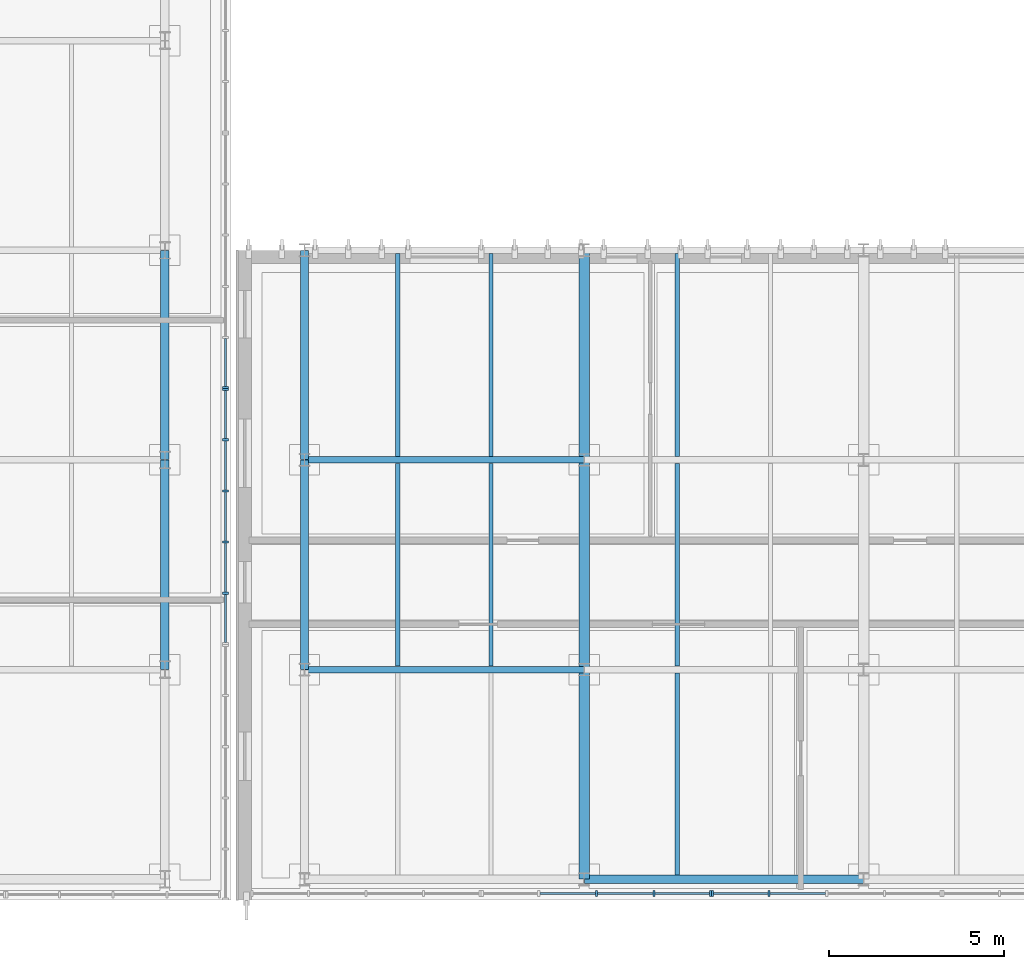
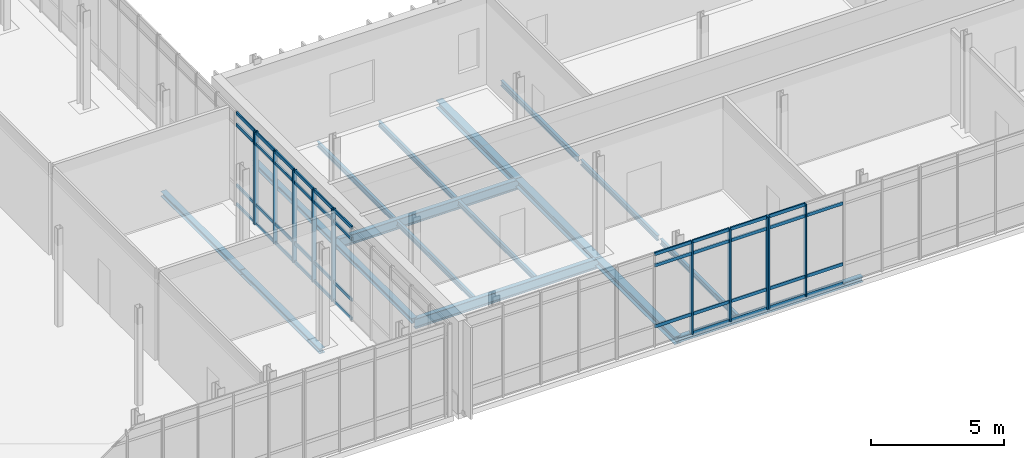
# One storey, part 31 of 100: 53 members, 17 beams, 4 elements without a shape of their own.
"""IFC4 building model written with IfcOpenShell, lengths in metres."""

from ifc_helpers import new_model, si_unit, direction, frame, origin, origin_2d, place, context, subcontext, project, spatial, rectangle, i_section, extrude, material, material_profile, profile_set, type_object, element, aggregate, save


model = new_model("IFC4")

# Units and contexts
model_context = context("Model", 3, precision=1e-05, world=origin(), true_north=direction((0.0, 1.0)))
body_context = subcontext(model_context, "Body", "Model", "MODEL_VIEW")
ifc_project = project(units=[si_unit("LENGTHUNIT", "METRE"), si_unit("AREAUNIT", "SQUARE_METRE"), si_unit("VOLUMEUNIT", "CUBIC_METRE"), si_unit("PLANEANGLEUNIT", "RADIAN"), si_unit("MASSUNIT", "GRAM", prefix="KILO")], contexts=[model_context])

# Site, building, storey
site_placement = place(None, origin())
site = spatial("IfcSite", under=ifc_project, at=site_placement, CompositionType="ELEMENT")
building_placement = place(site_placement, origin())
building = spatial("IfcBuilding", under=site, at=building_placement, Name="Cymarion Research Institute", CompositionType="ELEMENT")
storey_placement = place(building_placement, frame((0.0, 0.0, 9.300048828125)))
storey = spatial("IfcBuildingStorey", under=building, at=storey_placement, Name="L02", CompositionType="ELEMENT", Elevation=9.300048828125)

# Curtain wall, members
ifc_material_1 = material(Name="Anodised aluminium unitised curtain wall with Low-E glazing", Category="aluminium")
curtain_wall_type_1 = type_object("IfcCurtainWallType", Name="UNITISED CURTAIN WALL CW01 6590X4250", PredefinedType="NOTDEFINED", material=ifc_material_1)
curtain_wall_1_placement = place(storey_placement, origin())
curtain_wall_1 = element("IfcCurtainWall", 1, at=curtain_wall_1_placement, inside=storey, type_object=curtain_wall_type_1, Name="L02 V1 unitised curtain wall CW01 #61", PredefinedType="NOTDEFINED")
ifc_material_2 = material(Name="Anodised aluminium framing", Category="aluminium")
ifc_material_profile_1 = material_profile(ifc_material_2, rectangle(XDim=0.06005859375, YDim=0.179931640625, at=origin_2d()), Name="ALU MULLION 60x180")
ifc_profile_set_1 = profile_set([ifc_material_profile_1], Name="Anodised aluminium framing")
member_type_1 = type_object("IfcMemberType", Name="CURTAIN WALL MULLION ML01 60X180", PredefinedType="MULLION", material=ifc_profile_set_1)
member_1_placement = place(storey_placement, frame((114.95166015625, 5.090087890625, 0.0), z_axis=(0.0, 0.0, 1.0), x_axis=(1.0, 0.0, 0.0)))
member_1 = element("IfcMember", 2, at=member_1_placement, type_object=member_type_1, Name="CW01 mullion 3", PredefinedType="MULLION", context=body_context, shape_type="SweptSolid", body=[
    extrude(rectangle(XDim=0.06005859375, YDim=0.179931640625, at=origin_2d()), origin(), (0.0, 0.0, 1.0), 4.25),
])
member_2_placement = place(storey_placement, frame((116.599853515625, 5.090087890625, 0.0), z_axis=(0.0, 0.0, 1.0), x_axis=(1.0, 0.0, 0.0)))
member_2 = element("IfcMember", 3, at=member_2_placement, type_object=member_type_1, Name="CW01 mullion 4", PredefinedType="MULLION", context=body_context, shape_type="SweptSolid", body=[
    extrude(rectangle(XDim=0.06005859375, YDim=0.179931640625, at=origin_2d()), origin(), (0.0, 0.0, 1.0), 4.25),
])
member_3_placement = place(storey_placement, frame((118.21826171875, 5.090087890625, 0.0), z_axis=(0.0, 0.0, 1.0), x_axis=(1.0, 0.0, 0.0)))
member_3 = element("IfcMember", 4, at=member_3_placement, type_object=member_type_1, Name="CW01 mullion 5", PredefinedType="MULLION", context=body_context, shape_type="SweptSolid", body=[
    extrude(rectangle(XDim=0.06005859375, YDim=0.179931640625, at=origin_2d()), origin(), (0.0, 0.0, 1.0), 4.25),
])

curtain_wall_2_placement = place(storey_placement, origin())
curtain_wall_2 = element("IfcCurtainWall", 5, at=curtain_wall_2_placement, inside=storey, type_object=curtain_wall_type_1, Name="L02 V1 unitised curtain wall CW01 #62", PredefinedType="NOTDEFINED")
member_4_placement = place(storey_placement, frame((118.2783203125, 5.090087890625, 0.0), z_axis=(0.0, 0.0, 1.0), x_axis=(1.0, 0.0, 0.0)))
member_4 = element("IfcMember", 6, at=member_4_placement, type_object=member_type_1, Name="CW01 mullion 1", PredefinedType="MULLION", context=body_context, shape_type="SweptSolid", body=[
    extrude(rectangle(XDim=0.06005859375, YDim=0.179931640625, at=origin_2d()), origin(), (0.0, 0.0, 1.0), 4.25),
])
member_5_placement = place(storey_placement, frame((119.896484375, 5.090087890625, 0.0), z_axis=(0.0, 0.0, 1.0), x_axis=(1.0, 0.0, 0.0)))
member_5 = element("IfcMember", 7, at=member_5_placement, type_object=member_type_1, Name="CW01 mullion 2", PredefinedType="MULLION", context=body_context, shape_type="SweptSolid", body=[
    extrude(rectangle(XDim=0.06005859375, YDim=0.179931640625, at=origin_2d()), origin(), (0.0, 0.0, 1.0), 4.25),
])

curtain_wall_type_2 = type_object("IfcCurtainWallType", Name="UNITISED CURTAIN WALL CW08 7320X4250", PredefinedType="NOTDEFINED", material=ifc_material_1)
curtain_wall_3_placement = place(storey_placement, origin())
curtain_wall_3 = element("IfcCurtainWall", 8, at=curtain_wall_3_placement, inside=storey, type_object=curtain_wall_type_2, Name="L02 V2 unitised curtain wall CW08 #79", PredefinedType="NOTDEFINED")
member_6_placement = place(storey_placement, frame((104.340087890625, 13.68408203125, 0.0), z_axis=(0.0, 0.0, 1.0), x_axis=(0.0, 1.0, 0.0)))
member_6 = element("IfcMember", 9, at=member_6_placement, type_object=member_type_1, Name="CW08 mullion 2", PredefinedType="MULLION", context=body_context, shape_type="SweptSolid", body=[
    extrude(rectangle(XDim=0.06005859375, YDim=0.179931640625, at=origin_2d()), origin(), (0.0, 0.0, 1.0), 4.25),
])
member_7_placement = place(storey_placement, frame((104.340087890625, 15.14794921875, 0.0), z_axis=(0.0, 0.0, 1.0), x_axis=(0.0, 1.0, 0.0)))
member_7 = element("IfcMember", 10, at=member_7_placement, type_object=member_type_1, Name="CW08 mullion 3", PredefinedType="MULLION", context=body_context, shape_type="SweptSolid", body=[
    extrude(rectangle(XDim=0.06005859375, YDim=0.179931640625, at=origin_2d()), origin(), (0.0, 0.0, 1.0), 4.25),
])
member_8_placement = place(storey_placement, frame((104.340087890625, 16.612060546875, 0.0), z_axis=(0.0, 0.0, 1.0), x_axis=(0.0, 1.0, 0.0)))
member_8 = element("IfcMember", 11, at=member_8_placement, type_object=member_type_1, Name="CW08 mullion 4", PredefinedType="MULLION", context=body_context, shape_type="SweptSolid", body=[
    extrude(rectangle(XDim=0.06005859375, YDim=0.179931640625, at=origin_2d()), origin(), (0.0, 0.0, 1.0), 4.25),
])
member_9_placement = place(storey_placement, frame((104.340087890625, 18.075927734375, 0.0), z_axis=(0.0, 0.0, 1.0), x_axis=(0.0, 1.0, 0.0)))
member_9 = element("IfcMember", 12, at=member_9_placement, type_object=member_type_1, Name="CW08 mullion 5", PredefinedType="MULLION", context=body_context, shape_type="SweptSolid", body=[
    extrude(rectangle(XDim=0.06005859375, YDim=0.179931640625, at=origin_2d()), origin(), (0.0, 0.0, 1.0), 4.25),
])
member_10_placement = place(storey_placement, frame((104.340087890625, 19.510009765625, 0.0), z_axis=(0.0, 0.0, 1.0), x_axis=(0.0, 1.0, 0.0)))
member_10 = element("IfcMember", 13, at=member_10_placement, type_object=member_type_1, Name="CW08 mullion 6", PredefinedType="MULLION", context=body_context, shape_type="SweptSolid", body=[
    extrude(rectangle(XDim=0.06005859375, YDim=0.179931640625, at=origin_2d()), origin(), (0.0, 0.0, 1.0), 4.25),
])

# Curtain wall, member
curtain_wall_4_placement = place(storey_placement, origin())
curtain_wall_4 = element("IfcCurtainWall", 14, at=curtain_wall_4_placement, inside=storey, type_object=curtain_wall_type_2, Name="L02 V2 unitised curtain wall CW08 #80", PredefinedType="NOTDEFINED")
member_11_placement = place(storey_placement, frame((104.340087890625, 19.570068359375, 0.0), z_axis=(0.0, 0.0, 1.0), x_axis=(0.0, 1.0, 0.0)))
member_11 = element("IfcMember", 15, at=member_11_placement, type_object=member_type_1, Name="CW08 mullion 1", PredefinedType="MULLION", context=body_context, shape_type="SweptSolid", body=[
    extrude(rectangle(XDim=0.06005859375, YDim=0.179931640625, at=origin_2d()), origin(), (0.0, 0.0, 1.0), 4.25),
])

# Member
ifc_material_profile_2 = material_profile(ifc_material_2, rectangle(XDim=0.06005859375, YDim=0.14990234375, at=origin_2d()), Name="ALU TRANSOM 60x150")
ifc_profile_set_2 = profile_set([ifc_material_profile_2], Name="Anodised aluminium framing")
member_type_2 = type_object("IfcMemberType", Name="CURTAIN WALL TRANSOM TR01 60X150", PredefinedType="USERDEFINED", material=ifc_profile_set_2)
member_12_placement = place(storey_placement, frame((113.33349609375, 5.090087890625, 0.89990234375), z_axis=(1.0, 0.0, 0.0), x_axis=(0.0, 1.0, 0.0)))
member_12 = element("IfcMember", 16, at=member_12_placement, type_object=member_type_2, Name="CW01 transom 2.2", ObjectType="TRANSOM", PredefinedType="USERDEFINED", context=body_context, shape_type="SweptSolid", body=[
    extrude(rectangle(XDim=0.06005859375, YDim=0.14990234375, at=origin_2d()), origin(), (0.0, 0.0, 1.0), 1.588134765625),
])

member_13_placement = place(storey_placement, frame((113.33349609375, 5.090087890625, 3.699951171875), z_axis=(1.0, 0.0, 0.0), x_axis=(0.0, 1.0, 0.0)))
member_13 = element("IfcMember", 17, at=member_13_placement, type_object=member_type_2, Name="CW01 transom 2.3", ObjectType="TRANSOM", PredefinedType="USERDEFINED", context=body_context, shape_type="SweptSolid", body=[
    extrude(rectangle(XDim=0.06005859375, YDim=0.14990234375, at=origin_2d()), origin(), (0.0, 0.0, 1.0), 1.588134765625),
])

member_14_placement = place(storey_placement, frame((113.33349609375, 5.090087890625, 4.219970703125), z_axis=(1.0, 0.0, 0.0), x_axis=(0.0, 1.0, 0.0)))
member_14 = element("IfcMember", 18, at=member_14_placement, type_object=member_type_2, Name="CW01 transom 2.4", ObjectType="TRANSOM", PredefinedType="USERDEFINED", context=body_context, shape_type="SweptSolid", body=[
    extrude(rectangle(XDim=0.06005859375, YDim=0.14990234375, at=origin_2d()), origin(), (0.0, 0.0, 1.0), 1.588134765625),
])

member_15_placement = place(storey_placement, frame((114.981689453125, 5.090087890625, 0.030029296875), z_axis=(1.0, 0.0, 0.0), x_axis=(0.0, 1.0, 0.0)))
member_15 = element("IfcMember", 19, at=member_15_placement, type_object=member_type_2, Name="CW01 transom 3.1", ObjectType="TRANSOM", PredefinedType="USERDEFINED", context=body_context, shape_type="SweptSolid", body=[
    extrude(rectangle(XDim=0.06005859375, YDim=0.14990234375, at=origin_2d()), origin(), (0.0, 0.0, 1.0), 1.588134765625),
])

member_16_placement = place(storey_placement, frame((114.981689453125, 5.090087890625, 0.89990234375), z_axis=(1.0, 0.0, 0.0), x_axis=(0.0, 1.0, 0.0)))
member_16 = element("IfcMember", 20, at=member_16_placement, type_object=member_type_2, Name="CW01 transom 3.2", ObjectType="TRANSOM", PredefinedType="USERDEFINED", context=body_context, shape_type="SweptSolid", body=[
    extrude(rectangle(XDim=0.06005859375, YDim=0.14990234375, at=origin_2d()), origin(), (0.0, 0.0, 1.0), 1.588134765625),
])

member_17_placement = place(storey_placement, frame((114.981689453125, 5.090087890625, 3.699951171875), z_axis=(1.0, 0.0, 0.0), x_axis=(0.0, 1.0, 0.0)))
member_17 = element("IfcMember", 21, at=member_17_placement, type_object=member_type_2, Name="CW01 transom 3.3", ObjectType="TRANSOM", PredefinedType="USERDEFINED", context=body_context, shape_type="SweptSolid", body=[
    extrude(rectangle(XDim=0.06005859375, YDim=0.14990234375, at=origin_2d()), origin(), (0.0, 0.0, 1.0), 1.588134765625),
])

member_18_placement = place(storey_placement, frame((114.981689453125, 5.090087890625, 4.219970703125), z_axis=(1.0, 0.0, 0.0), x_axis=(0.0, 1.0, 0.0)))
member_18 = element("IfcMember", 22, at=member_18_placement, type_object=member_type_2, Name="CW01 transom 3.4", ObjectType="TRANSOM", PredefinedType="USERDEFINED", context=body_context, shape_type="SweptSolid", body=[
    extrude(rectangle(XDim=0.06005859375, YDim=0.14990234375, at=origin_2d()), origin(), (0.0, 0.0, 1.0), 1.588134765625),
])

member_19_placement = place(storey_placement, frame((116.6298828125, 5.090087890625, 0.030029296875), z_axis=(1.0, 0.0, 0.0), x_axis=(0.0, 1.0, 0.0)))
member_19 = element("IfcMember", 23, at=member_19_placement, type_object=member_type_2, Name="CW01 transom 4.1", ObjectType="TRANSOM", PredefinedType="USERDEFINED", context=body_context, shape_type="SweptSolid", body=[
    extrude(rectangle(XDim=0.06005859375, YDim=0.14990234375, at=origin_2d()), origin(), (0.0, 0.0, 1.0), 1.558349609375),
])

member_20_placement = place(storey_placement, frame((116.6298828125, 5.090087890625, 0.89990234375), z_axis=(1.0, 0.0, 0.0), x_axis=(0.0, 1.0, 0.0)))
member_20 = element("IfcMember", 24, at=member_20_placement, type_object=member_type_2, Name="CW01 transom 4.2", ObjectType="TRANSOM", PredefinedType="USERDEFINED", context=body_context, shape_type="SweptSolid", body=[
    extrude(rectangle(XDim=0.06005859375, YDim=0.14990234375, at=origin_2d()), origin(), (0.0, 0.0, 1.0), 1.558349609375),
])

member_21_placement = place(storey_placement, frame((116.6298828125, 5.090087890625, 3.699951171875), z_axis=(1.0, 0.0, 0.0), x_axis=(0.0, 1.0, 0.0)))
member_21 = element("IfcMember", 25, at=member_21_placement, type_object=member_type_2, Name="CW01 transom 4.3", ObjectType="TRANSOM", PredefinedType="USERDEFINED", context=body_context, shape_type="SweptSolid", body=[
    extrude(rectangle(XDim=0.06005859375, YDim=0.14990234375, at=origin_2d()), origin(), (0.0, 0.0, 1.0), 1.558349609375),
])

member_22_placement = place(storey_placement, frame((116.6298828125, 5.090087890625, 4.219970703125), z_axis=(1.0, 0.0, 0.0), x_axis=(0.0, 1.0, 0.0)))
member_22 = element("IfcMember", 26, at=member_22_placement, type_object=member_type_2, Name="CW01 transom 4.4", ObjectType="TRANSOM", PredefinedType="USERDEFINED", context=body_context, shape_type="SweptSolid", body=[
    extrude(rectangle(XDim=0.06005859375, YDim=0.14990234375, at=origin_2d()), origin(), (0.0, 0.0, 1.0), 1.558349609375),
])

aggregate(curtain_wall_1, [member_1, member_2, member_3, member_12, member_13, member_14, member_15, member_16, member_17, member_18, member_19, member_20, member_21, member_22])

member_23_placement = place(storey_placement, frame((118.30810546875, 5.090087890625, 0.030029296875), z_axis=(1.0, 0.0, 0.0), x_axis=(0.0, 1.0, 0.0)))
member_23 = element("IfcMember", 27, at=member_23_placement, type_object=member_type_2, Name="CW01 transom 1.1", ObjectType="TRANSOM", PredefinedType="USERDEFINED", context=body_context, shape_type="SweptSolid", body=[
    extrude(rectangle(XDim=0.06005859375, YDim=0.14990234375, at=origin_2d()), origin(), (0.0, 0.0, 1.0), 1.558349609375),
])

member_24_placement = place(storey_placement, frame((118.30810546875, 5.090087890625, 0.89990234375), z_axis=(1.0, 0.0, 0.0), x_axis=(0.0, 1.0, 0.0)))
member_24 = element("IfcMember", 28, at=member_24_placement, type_object=member_type_2, Name="CW01 transom 1.2", ObjectType="TRANSOM", PredefinedType="USERDEFINED", context=body_context, shape_type="SweptSolid", body=[
    extrude(rectangle(XDim=0.06005859375, YDim=0.14990234375, at=origin_2d()), origin(), (0.0, 0.0, 1.0), 1.558349609375),
])

member_25_placement = place(storey_placement, frame((118.30810546875, 5.090087890625, 3.699951171875), z_axis=(1.0, 0.0, 0.0), x_axis=(0.0, 1.0, 0.0)))
member_25 = element("IfcMember", 29, at=member_25_placement, type_object=member_type_2, Name="CW01 transom 1.3", ObjectType="TRANSOM", PredefinedType="USERDEFINED", context=body_context, shape_type="SweptSolid", body=[
    extrude(rectangle(XDim=0.06005859375, YDim=0.14990234375, at=origin_2d()), origin(), (0.0, 0.0, 1.0), 1.558349609375),
])

member_26_placement = place(storey_placement, frame((118.30810546875, 5.090087890625, 4.219970703125), z_axis=(1.0, 0.0, 0.0), x_axis=(0.0, 1.0, 0.0)))
member_26 = element("IfcMember", 30, at=member_26_placement, type_object=member_type_2, Name="CW01 transom 1.4", ObjectType="TRANSOM", PredefinedType="USERDEFINED", context=body_context, shape_type="SweptSolid", body=[
    extrude(rectangle(XDim=0.06005859375, YDim=0.14990234375, at=origin_2d()), origin(), (0.0, 0.0, 1.0), 1.558349609375),
])

member_27_placement = place(storey_placement, frame((119.926513671875, 5.090087890625, 0.030029296875), z_axis=(1.0, 0.0, 0.0), x_axis=(0.0, 1.0, 0.0)))
member_27 = element("IfcMember", 31, at=member_27_placement, type_object=member_type_2, Name="CW01 transom 2.1", ObjectType="TRANSOM", PredefinedType="USERDEFINED", context=body_context, shape_type="SweptSolid", body=[
    extrude(rectangle(XDim=0.06005859375, YDim=0.14990234375, at=origin_2d()), origin(), (0.0, 0.0, 1.0), 1.588134765625),
])

member_28_placement = place(storey_placement, frame((119.926513671875, 5.090087890625, 0.89990234375), z_axis=(1.0, 0.0, 0.0), x_axis=(0.0, 1.0, 0.0)))
member_28 = element("IfcMember", 32, at=member_28_placement, type_object=member_type_2, Name="CW01 transom 2.2", ObjectType="TRANSOM", PredefinedType="USERDEFINED", context=body_context, shape_type="SweptSolid", body=[
    extrude(rectangle(XDim=0.06005859375, YDim=0.14990234375, at=origin_2d()), origin(), (0.0, 0.0, 1.0), 1.588134765625),
])

member_29_placement = place(storey_placement, frame((119.926513671875, 5.090087890625, 3.699951171875), z_axis=(1.0, 0.0, 0.0), x_axis=(0.0, 1.0, 0.0)))
member_29 = element("IfcMember", 33, at=member_29_placement, type_object=member_type_2, Name="CW01 transom 2.3", ObjectType="TRANSOM", PredefinedType="USERDEFINED", context=body_context, shape_type="SweptSolid", body=[
    extrude(rectangle(XDim=0.06005859375, YDim=0.14990234375, at=origin_2d()), origin(), (0.0, 0.0, 1.0), 1.588134765625),
])

aggregate(curtain_wall_2, [member_4, member_5, member_23, member_24, member_25, member_26, member_27, member_28, member_29])

member_30_placement = place(storey_placement, frame((104.340087890625, 12.280029296875, 0.030029296875), z_axis=(0.0, 1.0, 0.0), x_axis=(-1.0, 0.0, 0.0)))
member_30 = element("IfcMember", 34, at=member_30_placement, type_object=member_type_2, Name="CW08 transom 1.1", ObjectType="TRANSOM", PredefinedType="USERDEFINED", context=body_context, shape_type="SweptSolid", body=[
    extrude(rectangle(XDim=0.06005859375, YDim=0.14990234375, at=origin_2d()), origin(), (0.0, 0.0, 1.0), 1.3740234375),
])

member_31_placement = place(storey_placement, frame((104.340087890625, 12.280029296875, 0.89990234375), z_axis=(0.0, 1.0, 0.0), x_axis=(-1.0, 0.0, 0.0)))
member_31 = element("IfcMember", 35, at=member_31_placement, type_object=member_type_2, Name="CW08 transom 1.2", ObjectType="TRANSOM", PredefinedType="USERDEFINED", context=body_context, shape_type="SweptSolid", body=[
    extrude(rectangle(XDim=0.06005859375, YDim=0.14990234375, at=origin_2d()), origin(), (0.0, 0.0, 1.0), 1.3740234375),
])

member_32_placement = place(storey_placement, frame((104.340087890625, 12.280029296875, 3.699951171875), z_axis=(0.0, 1.0, 0.0), x_axis=(-1.0, 0.0, 0.0)))
member_32 = element("IfcMember", 36, at=member_32_placement, type_object=member_type_2, Name="CW08 transom 1.3", ObjectType="TRANSOM", PredefinedType="USERDEFINED", context=body_context, shape_type="SweptSolid", body=[
    extrude(rectangle(XDim=0.06005859375, YDim=0.14990234375, at=origin_2d()), origin(), (0.0, 0.0, 1.0), 1.3740234375),
])

member_33_placement = place(storey_placement, frame((104.340087890625, 12.280029296875, 4.219970703125), z_axis=(0.0, 1.0, 0.0), x_axis=(-1.0, 0.0, 0.0)))
member_33 = element("IfcMember", 37, at=member_33_placement, type_object=member_type_2, Name="CW08 transom 1.4", ObjectType="TRANSOM", PredefinedType="USERDEFINED", context=body_context, shape_type="SweptSolid", body=[
    extrude(rectangle(XDim=0.06005859375, YDim=0.14990234375, at=origin_2d()), origin(), (0.0, 0.0, 1.0), 1.3740234375),
])

member_34_placement = place(storey_placement, frame((104.340087890625, 13.714111328125, 0.030029296875), z_axis=(0.0, 1.0, 0.0), x_axis=(-1.0, 0.0, 0.0)))
member_34 = element("IfcMember", 38, at=member_34_placement, type_object=member_type_2, Name="CW08 transom 2.1", ObjectType="TRANSOM", PredefinedType="USERDEFINED", context=body_context, shape_type="SweptSolid", body=[
    extrude(rectangle(XDim=0.06005859375, YDim=0.14990234375, at=origin_2d()), origin(), (0.0, 0.0, 1.0), 1.40380859375),
])

member_35_placement = place(storey_placement, frame((104.340087890625, 13.714111328125, 0.89990234375), z_axis=(0.0, 1.0, 0.0), x_axis=(-1.0, 0.0, 0.0)))
member_35 = element("IfcMember", 39, at=member_35_placement, type_object=member_type_2, Name="CW08 transom 2.2", ObjectType="TRANSOM", PredefinedType="USERDEFINED", context=body_context, shape_type="SweptSolid", body=[
    extrude(rectangle(XDim=0.06005859375, YDim=0.14990234375, at=origin_2d()), origin(), (0.0, 0.0, 1.0), 1.40380859375),
])

member_36_placement = place(storey_placement, frame((104.340087890625, 13.714111328125, 3.699951171875), z_axis=(0.0, 1.0, 0.0), x_axis=(-1.0, 0.0, 0.0)))
member_36 = element("IfcMember", 40, at=member_36_placement, type_object=member_type_2, Name="CW08 transom 2.3", ObjectType="TRANSOM", PredefinedType="USERDEFINED", context=body_context, shape_type="SweptSolid", body=[
    extrude(rectangle(XDim=0.06005859375, YDim=0.14990234375, at=origin_2d()), origin(), (0.0, 0.0, 1.0), 1.40380859375),
])

member_37_placement = place(storey_placement, frame((104.340087890625, 13.714111328125, 4.219970703125), z_axis=(0.0, 1.0, 0.0), x_axis=(-1.0, 0.0, 0.0)))
member_37 = element("IfcMember", 41, at=member_37_placement, type_object=member_type_2, Name="CW08 transom 2.4", ObjectType="TRANSOM", PredefinedType="USERDEFINED", context=body_context, shape_type="SweptSolid", body=[
    extrude(rectangle(XDim=0.06005859375, YDim=0.14990234375, at=origin_2d()), origin(), (0.0, 0.0, 1.0), 1.40380859375),
])

member_38_placement = place(storey_placement, frame((104.340087890625, 15.177978515625, 0.030029296875), z_axis=(0.0, 1.0, 0.0), x_axis=(-1.0, 0.0, 0.0)))
member_38 = element("IfcMember", 42, at=member_38_placement, type_object=member_type_2, Name="CW08 transom 3.1", ObjectType="TRANSOM", PredefinedType="USERDEFINED", context=body_context, shape_type="SweptSolid", body=[
    extrude(rectangle(XDim=0.06005859375, YDim=0.14990234375, at=origin_2d()), origin(), (0.0, 0.0, 1.0), 1.404052734375),
])

member_39_placement = place(storey_placement, frame((104.340087890625, 15.177978515625, 0.89990234375), z_axis=(0.0, 1.0, 0.0), x_axis=(-1.0, 0.0, 0.0)))
member_39 = element("IfcMember", 43, at=member_39_placement, type_object=member_type_2, Name="CW08 transom 3.2", ObjectType="TRANSOM", PredefinedType="USERDEFINED", context=body_context, shape_type="SweptSolid", body=[
    extrude(rectangle(XDim=0.06005859375, YDim=0.14990234375, at=origin_2d()), origin(), (0.0, 0.0, 1.0), 1.404052734375),
])

member_40_placement = place(storey_placement, frame((104.340087890625, 15.177978515625, 3.699951171875), z_axis=(0.0, 1.0, 0.0), x_axis=(-1.0, 0.0, 0.0)))
member_40 = element("IfcMember", 44, at=member_40_placement, type_object=member_type_2, Name="CW08 transom 3.3", ObjectType="TRANSOM", PredefinedType="USERDEFINED", context=body_context, shape_type="SweptSolid", body=[
    extrude(rectangle(XDim=0.06005859375, YDim=0.14990234375, at=origin_2d()), origin(), (0.0, 0.0, 1.0), 1.404052734375),
])

member_41_placement = place(storey_placement, frame((104.340087890625, 15.177978515625, 4.219970703125), z_axis=(0.0, 1.0, 0.0), x_axis=(-1.0, 0.0, 0.0)))
member_41 = element("IfcMember", 45, at=member_41_placement, type_object=member_type_2, Name="CW08 transom 3.4", ObjectType="TRANSOM", PredefinedType="USERDEFINED", context=body_context, shape_type="SweptSolid", body=[
    extrude(rectangle(XDim=0.06005859375, YDim=0.14990234375, at=origin_2d()), origin(), (0.0, 0.0, 1.0), 1.404052734375),
])

member_42_placement = place(storey_placement, frame((104.340087890625, 16.64208984375, 0.030029296875), z_axis=(0.0, 1.0, 0.0), x_axis=(-1.0, 0.0, 0.0)))
member_42 = element("IfcMember", 46, at=member_42_placement, type_object=member_type_2, Name="CW08 transom 4.1", ObjectType="TRANSOM", PredefinedType="USERDEFINED", context=body_context, shape_type="SweptSolid", body=[
    extrude(rectangle(XDim=0.06005859375, YDim=0.14990234375, at=origin_2d()), origin(), (0.0, 0.0, 1.0), 1.40380859375),
])

member_43_placement = place(storey_placement, frame((104.340087890625, 16.64208984375, 0.89990234375), z_axis=(0.0, 1.0, 0.0), x_axis=(-1.0, 0.0, 0.0)))
member_43 = element("IfcMember", 47, at=member_43_placement, type_object=member_type_2, Name="CW08 transom 4.2", ObjectType="TRANSOM", PredefinedType="USERDEFINED", context=body_context, shape_type="SweptSolid", body=[
    extrude(rectangle(XDim=0.06005859375, YDim=0.14990234375, at=origin_2d()), origin(), (0.0, 0.0, 1.0), 1.40380859375),
])

member_44_placement = place(storey_placement, frame((104.340087890625, 16.64208984375, 3.699951171875), z_axis=(0.0, 1.0, 0.0), x_axis=(-1.0, 0.0, 0.0)))
member_44 = element("IfcMember", 48, at=member_44_placement, type_object=member_type_2, Name="CW08 transom 4.3", ObjectType="TRANSOM", PredefinedType="USERDEFINED", context=body_context, shape_type="SweptSolid", body=[
    extrude(rectangle(XDim=0.06005859375, YDim=0.14990234375, at=origin_2d()), origin(), (0.0, 0.0, 1.0), 1.40380859375),
])

member_45_placement = place(storey_placement, frame((104.340087890625, 16.64208984375, 4.219970703125), z_axis=(0.0, 1.0, 0.0), x_axis=(-1.0, 0.0, 0.0)))
member_45 = element("IfcMember", 49, at=member_45_placement, type_object=member_type_2, Name="CW08 transom 4.4", ObjectType="TRANSOM", PredefinedType="USERDEFINED", context=body_context, shape_type="SweptSolid", body=[
    extrude(rectangle(XDim=0.06005859375, YDim=0.14990234375, at=origin_2d()), origin(), (0.0, 0.0, 1.0), 1.40380859375),
])

member_46_placement = place(storey_placement, frame((104.340087890625, 18.10595703125, 0.030029296875), z_axis=(0.0, 1.0, 0.0), x_axis=(-1.0, 0.0, 0.0)))
member_46 = element("IfcMember", 50, at=member_46_placement, type_object=member_type_2, Name="CW08 transom 5.1", ObjectType="TRANSOM", PredefinedType="USERDEFINED", context=body_context, shape_type="SweptSolid", body=[
    extrude(rectangle(XDim=0.06005859375, YDim=0.14990234375, at=origin_2d()), origin(), (0.0, 0.0, 1.0), 1.3740234375),
])

member_47_placement = place(storey_placement, frame((104.340087890625, 18.10595703125, 0.89990234375), z_axis=(0.0, 1.0, 0.0), x_axis=(-1.0, 0.0, 0.0)))
member_47 = element("IfcMember", 51, at=member_47_placement, type_object=member_type_2, Name="CW08 transom 5.2", ObjectType="TRANSOM", PredefinedType="USERDEFINED", context=body_context, shape_type="SweptSolid", body=[
    extrude(rectangle(XDim=0.06005859375, YDim=0.14990234375, at=origin_2d()), origin(), (0.0, 0.0, 1.0), 1.3740234375),
])

member_48_placement = place(storey_placement, frame((104.340087890625, 18.10595703125, 3.699951171875), z_axis=(0.0, 1.0, 0.0), x_axis=(-1.0, 0.0, 0.0)))
member_48 = element("IfcMember", 52, at=member_48_placement, type_object=member_type_2, Name="CW08 transom 5.3", ObjectType="TRANSOM", PredefinedType="USERDEFINED", context=body_context, shape_type="SweptSolid", body=[
    extrude(rectangle(XDim=0.06005859375, YDim=0.14990234375, at=origin_2d()), origin(), (0.0, 0.0, 1.0), 1.3740234375),
])

member_49_placement = place(storey_placement, frame((104.340087890625, 18.10595703125, 4.219970703125), z_axis=(0.0, 1.0, 0.0), x_axis=(-1.0, 0.0, 0.0)))
member_49 = element("IfcMember", 53, at=member_49_placement, type_object=member_type_2, Name="CW08 transom 5.4", ObjectType="TRANSOM", PredefinedType="USERDEFINED", context=body_context, shape_type="SweptSolid", body=[
    extrude(rectangle(XDim=0.06005859375, YDim=0.14990234375, at=origin_2d()), origin(), (0.0, 0.0, 1.0), 1.3740234375),
])

aggregate(curtain_wall_3, [member_6, member_7, member_8, member_9, member_10, member_30, member_31, member_32, member_33, member_34, member_35, member_36, member_37, member_38, member_39, member_40, member_41, member_42, member_43, member_44, member_45, member_46, member_47, member_48, member_49])

member_50_placement = place(storey_placement, frame((104.340087890625, 19.60009765625, 0.030029296875), z_axis=(0.0, 1.0, 0.0), x_axis=(-1.0, 0.0, 0.0)))
member_50 = element("IfcMember", 54, at=member_50_placement, type_object=member_type_2, Name="CW08 transom 1.1", ObjectType="TRANSOM", PredefinedType="USERDEFINED", context=body_context, shape_type="SweptSolid", body=[
    extrude(rectangle(XDim=0.06005859375, YDim=0.14990234375, at=origin_2d()), origin(), (0.0, 0.0, 1.0), 1.3740234375),
])

member_51_placement = place(storey_placement, frame((104.340087890625, 19.60009765625, 0.89990234375), z_axis=(0.0, 1.0, 0.0), x_axis=(-1.0, 0.0, 0.0)))
member_51 = element("IfcMember", 55, at=member_51_placement, type_object=member_type_2, Name="CW08 transom 1.2", ObjectType="TRANSOM", PredefinedType="USERDEFINED", context=body_context, shape_type="SweptSolid", body=[
    extrude(rectangle(XDim=0.06005859375, YDim=0.14990234375, at=origin_2d()), origin(), (0.0, 0.0, 1.0), 1.3740234375),
])

member_52_placement = place(storey_placement, frame((104.340087890625, 19.60009765625, 3.699951171875), z_axis=(0.0, 1.0, 0.0), x_axis=(-1.0, 0.0, 0.0)))
member_52 = element("IfcMember", 56, at=member_52_placement, type_object=member_type_2, Name="CW08 transom 1.3", ObjectType="TRANSOM", PredefinedType="USERDEFINED", context=body_context, shape_type="SweptSolid", body=[
    extrude(rectangle(XDim=0.06005859375, YDim=0.14990234375, at=origin_2d()), origin(), (0.0, 0.0, 1.0), 1.3740234375),
])

member_53_placement = place(storey_placement, frame((104.340087890625, 19.60009765625, 4.219970703125), z_axis=(0.0, 1.0, 0.0), x_axis=(-1.0, 0.0, 0.0)))
member_53 = element("IfcMember", 57, at=member_53_placement, type_object=member_type_2, Name="CW08 transom 1.4", ObjectType="TRANSOM", PredefinedType="USERDEFINED", context=body_context, shape_type="SweptSolid", body=[
    extrude(rectangle(XDim=0.06005859375, YDim=0.14990234375, at=origin_2d()), origin(), (0.0, 0.0, 1.0), 1.3740234375),
])

aggregate(curtain_wall_4, [member_11, member_50, member_51, member_52, member_53])

# Beams
ifc_material_3 = material(Name="Steel S355", Category="steel")
ifc_material_profile_3 = material_profile(ifc_material_3, i_section(OverallWidth=0.18994140625, OverallDepth=0.449951171875, WebThickness=0.009521484375, FlangeThickness=0.0146484375, FilletRadius=0.02099609375, at=origin_2d()), Name="IPE 450")
ifc_profile_set_3 = profile_set([ifc_material_profile_3], Name="Steel S355")
beam_type_1 = type_object("IfcBeamType", Name="PRIMARY GIRDER BM04 IPE 450", PredefinedType="BEAM", material=ifc_profile_set_3)
for number, where, z_axis, x_axis, name in (
    (58, (106.60595703125, 11.5, -0.47509765625), (1.0, 0.0, 0.0), (0.0, 1.0, 0.0), "L02 V1 girder BM04 #767"),
    (59, (106.60595703125, 17.5, -0.47509765625), (1.0, 0.0, 0.0), (0.0, 1.0, 0.0), "L02 V1 girder BM04 #771"),
):
    element("IfcBeam", number, at=place(storey_placement, frame(where, z_axis=z_axis, x_axis=x_axis)), inside=storey, type_object=beam_type_1, Name=name, PredefinedType="BEAM", context=body_context, shape_type="SweptSolid", body=[
        extrude(i_section(OverallWidth=0.18994140625, OverallDepth=0.449951171875, WebThickness=0.009521484375, FlangeThickness=0.0146484375, FilletRadius=0.02099609375, at=origin_2d()), origin(), (0.0, 0.0, 1.0), 7.988037109375),
    ])
ifc_material_profile_4 = material_profile(ifc_material_3, i_section(OverallWidth=0.300048828125, OverallDepth=0.35009765625, WebThickness=0.010009765625, FlangeThickness=0.017578125, FilletRadius=0.027099609375, at=origin_2d()), Name="HEA 360")
ifc_profile_set_4 = profile_set([ifc_material_profile_4], Name="Steel S355")
beam_type_2 = type_object("IfcBeamType", Name="PRIMARY GIRDER BM12 HEA 360", PredefinedType="BEAM", material=ifc_profile_set_4)
for number, where, z_axis, x_axis, name in (
    (60, (114.60009765625, 5.506103515625, -0.425048828125), (0.0, 1.0, 0.0), (-1.0, 0.0, 0.0), "L02 V1 girder BM12 #792"),
    (61, (114.60009765625, 11.506103515625, -0.425048828125), (0.0, 1.0, 0.0), (-1.0, 0.0, 0.0), "L02 V1 girder BM12 #793"),
    (62, (114.60009765625, 17.506103515625, -0.425048828125), (0.0, 1.0, 0.0), (-1.0, 0.0, 0.0), "L02 V1 girder BM12 #794"),
):
    element("IfcBeam", number, at=place(storey_placement, frame(where, z_axis=z_axis, x_axis=x_axis)), inside=storey, type_object=beam_type_2, Name=name, PredefinedType="BEAM", context=body_context, shape_type="SweptSolid", body=[
        extrude(i_section(OverallWidth=0.300048828125, OverallDepth=0.35009765625, WebThickness=0.010009765625, FlangeThickness=0.017578125, FilletRadius=0.027099609375, at=origin_2d()), origin(), (0.0, 0.0, 1.0), 5.98779296875),
    ])
ifc_material_profile_5 = material_profile(ifc_material_3, i_section(OverallWidth=0.1201171875, OverallDepth=0.239990234375, WebThickness=0.006103515625, FlangeThickness=0.009765625, FilletRadius=0.014892578125, at=origin_2d()), Name="IPE 240")
ifc_profile_set_5 = profile_set([ifc_material_profile_5], Name="Steel S355")
beam_type_3 = type_object("IfcBeamType", Name="SECONDARY JOIST JS04 IPE 240", PredefinedType="JOIST", material=ifc_profile_set_5)
beam_1_placement = place(storey_placement, frame((117.2666015625, 5.6240234375, -0.3701171875), z_axis=(0.0, 1.0, 0.0), x_axis=(-1.0, 0.0, 0.0)))
element("IfcBeam", 63, at=beam_1_placement, inside=storey, type_object=beam_type_3, Name="L02 V1 secondary joist JS04 #836", PredefinedType="JOIST", context=body_context, shape_type="SweptSolid", body=[
    extrude(i_section(OverallWidth=0.1201171875, OverallDepth=0.239990234375, WebThickness=0.006103515625, FlangeThickness=0.009765625, FilletRadius=0.014892578125, at=origin_2d()), origin(), (0.0, 0.0, 1.0), 5.77685546875),
])
for number, where, z_axis, x_axis, name in (
    (64, (109.2666015625, 11.59912109375, -0.3701171875), (0.0, 1.0, 0.0), (-1.0, 0.0, 0.0), "L02 V1 secondary joist JS04 #842"),
    (65, (111.933349609375, 11.59912109375, -0.3701171875), (0.0, 1.0, 0.0), (-1.0, 0.0, 0.0), "L02 V1 secondary joist JS04 #843"),
    (66, (117.2666015625, 11.59912109375, -0.3701171875), (0.0, 1.0, 0.0), (-1.0, 0.0, 0.0), "L02 V1 secondary joist JS04 #844"),
    (67, (109.2666015625, 17.59912109375, -0.3701171875), (0.0, 1.0, 0.0), (-1.0, 0.0, 0.0), "L02 V1 secondary joist JS04 #850"),
    (68, (111.933349609375, 17.59912109375, -0.3701171875), (0.0, 1.0, 0.0), (-1.0, 0.0, 0.0), "L02 V1 secondary joist JS04 #851"),
    (69, (117.2666015625, 17.59912109375, -0.3701171875), (0.0, 1.0, 0.0), (-1.0, 0.0, 0.0), "L02 V1 secondary joist JS04 #852"),
):
    element("IfcBeam", number, at=place(storey_placement, frame(where, z_axis=z_axis, x_axis=x_axis)), inside=storey, type_object=beam_type_3, Name=name, PredefinedType="JOIST", context=body_context, shape_type="SweptSolid", body=[
        extrude(i_section(OverallWidth=0.1201171875, OverallDepth=0.239990234375, WebThickness=0.006103515625, FlangeThickness=0.009765625, FilletRadius=0.014892578125, at=origin_2d()), origin(), (0.0, 0.0, 1.0), 5.8017578125),
    ])
ifc_material_profile_6 = material_profile(ifc_material_3, i_section(OverallWidth=0.239990234375, OverallDepth=0.22998046875, WebThickness=0.007568359375, FlangeThickness=0.011962890625, FilletRadius=0.02099609375, at=origin_2d()), Name="HEA 240")
ifc_profile_set_6 = profile_set([ifc_material_profile_6], Name="Steel S355")
beam_type_4 = type_object("IfcBeamType", Name="SPANDREL BEAM SPB03 HEA 240", PredefinedType="SPANDREL", material=ifc_profile_set_6)
beam_2_placement = place(storey_placement, frame((114.60595703125, 5.5, -0.364990234375), z_axis=(1.0, 0.0, 0.0), x_axis=(0.0, 1.0, 0.0)))
element("IfcBeam", 70, at=beam_2_placement, inside=storey, type_object=beam_type_4, Name="L02 V1 girder SPB03 #762", PredefinedType="SPANDREL", context=body_context, shape_type="SweptSolid", body=[
    extrude(i_section(OverallWidth=0.239990234375, OverallDepth=0.22998046875, WebThickness=0.007568359375, FlangeThickness=0.011962890625, FilletRadius=0.02099609375, at=origin_2d()), origin(), (0.0, 0.0, 1.0), 7.988037109375),
])
for number, where, z_axis, x_axis, name in (
    (71, (106.60009765625, 11.506103515625, -0.364990234375), (0.0, 1.0, 0.0), (-1.0, 0.0, 0.0), "L02 V1 girder SPB03 #790"),
    (72, (106.60009765625, 17.506103515625, -0.364990234375), (0.0, 1.0, 0.0), (-1.0, 0.0, 0.0), "L02 V1 girder SPB03 #791"),
    (73, (102.60009765625, 11.506103515625, -0.364990234375), (0.0, 1.0, 0.0), (-1.0, 0.0, 0.0), "L02 V2 girder SPB03 #925"),
    (74, (102.60009765625, 17.506103515625, -0.364990234375), (0.0, 1.0, 0.0), (-1.0, 0.0, 0.0), "L02 V2 girder SPB03 #926"),
):
    element("IfcBeam", number, at=place(storey_placement, frame(where, z_axis=z_axis, x_axis=x_axis)), inside=storey, type_object=beam_type_4, Name=name, PredefinedType="SPANDREL", context=body_context, shape_type="SweptSolid", body=[
        extrude(i_section(OverallWidth=0.239990234375, OverallDepth=0.22998046875, WebThickness=0.007568359375, FlangeThickness=0.011962890625, FilletRadius=0.02099609375, at=origin_2d()), origin(), (0.0, 0.0, 1.0), 5.98779296875),
    ])

save(model, "model.ifc")
